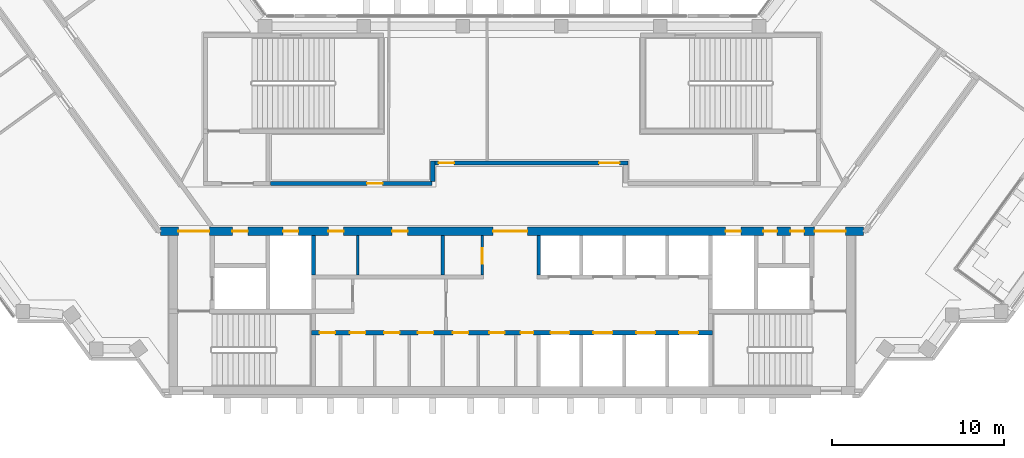
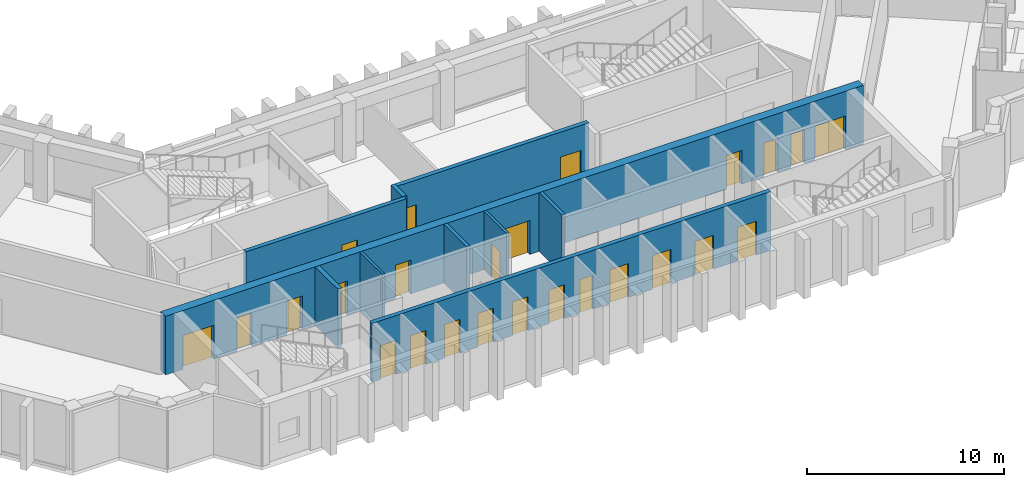
# One storey, part 5 of 10: 25 doors, 10 walls, 25 openings.
"""IFC4 building model written with IfcOpenShell, lengths in metres."""

import ifcopenshell
import ifcopenshell.guid

model = None  # the IFC model being written
_history = None  # IfcOwnerHistory: only IFC2X3 demands one
_inside = {}  # id of a spatial element -> (the spatial element, [elements in it])
_under = {}  # id of a project, library or spatial element -> (it, [spatial elements below it])
_declared = {}  # id of a project -> (the project, [libraries it declares])
_typed = {}  # id of a type object -> (the type object, [elements of that type])
_made_of = {}  # id of a material, layer set ... -> (it, [elements and type objects made of it])


def new_model(schema):
    """Start an empty IFC model of exactly this schema.

    Asked for "IFC4X3", IfcOpenShell would pick the latest addendum, in which some entities
    have other attributes; the version numbers below select the first issue.
    IFC2X3 requires an IfcOwnerHistory on every rooted entity: one is made here for all.
    """
    global model, _history
    if schema == "IFC4X3":
        model = ifcopenshell.file(schema_version=(4, 3, 0, 0))
    else:
        model = ifcopenshell.file(schema=schema)
    _inside.clear()
    _under.clear()
    _declared.clear()
    _typed.clear()
    _made_of.clear()
    _history = None
    if model.schema == "IFC2X3":
        org = make("IfcOrganization", Name="unknown")
        user = make(
            "IfcPersonAndOrganization",
            ThePerson=make("IfcPerson", FamilyName="unknown"),
            TheOrganization=org,
        )
        app = make(
            "IfcApplication",
            ApplicationDeveloper=org,
            Version="unknown",
            ApplicationFullName="unknown",
            ApplicationIdentifier="unknown",
        )
        _history = make(
            "IfcOwnerHistory",
            OwningUser=user,
            OwningApplication=app,
            ChangeAction="ADDED",
            CreationDate=0,
        )
    return model


def make(cls, **values):
    """One entity of the class cls with the attributes given. An attribute that is None is left unset."""
    return model.create_entity(
        cls, **{name: value for name, value in values.items() if value is not None}
    )


def rooted(cls, **values):
    """An entity with a GlobalId (a new one), such as an element, a storey or a relation."""
    return make(cls, GlobalId=ifcopenshell.guid.new(), OwnerHistory=_history, **values)


def si_unit(unit_type, name, prefix=None):
    """IfcSIUnit, for example si_unit("LENGTHUNIT", "METRE", prefix="MILLI")."""
    return make("IfcSIUnit", UnitType=unit_type, Prefix=prefix, Name=name)


def assignment(units):
    """IfcUnitAssignment: the units of a project."""
    return None if units is None else make("IfcUnitAssignment", Units=units)


def point(xyz):
    """IfcCartesianPoint."""
    return None if xyz is None else make("IfcCartesianPoint", Coordinates=xyz)


def direction(xyz):
    """IfcDirection."""
    return None if xyz is None else make("IfcDirection", DirectionRatios=xyz)


def frame(location, z_axis=None, x_axis=None):
    """IfcAxis2Placement3D, a coordinate frame: its origin and axes. An axis left out is left unset."""
    return make(
        "IfcAxis2Placement3D",
        Location=point(location),
        Axis=direction(z_axis),
        RefDirection=direction(x_axis),
    )


def frame_2d(location, x_axis=None):
    """IfcAxis2Placement2D, a coordinate frame in the plane: its origin and x axis."""
    return make(
        "IfcAxis2Placement2D", Location=point(location), RefDirection=direction(x_axis)
    )


def origin():
    """The frame at (0, 0, 0) with its axes left unset."""
    return frame((0.0, 0.0, 0.0))


def place(relative_to, where):
    """IfcLocalPlacement: puts the frame where relative to a parent placement (None: the world)."""
    return make(
        "IfcLocalPlacement", PlacementRelTo=relative_to, RelativePlacement=where
    )


def context(
    kind, dimensions, precision=None, world=None, true_north=None, identifier=None
):
    """IfcGeometricRepresentationContext, for example the 3D "Model" context."""
    return make(
        "IfcGeometricRepresentationContext",
        ContextIdentifier=identifier,
        ContextType=kind,
        CoordinateSpaceDimension=dimensions,
        Precision=precision,
        WorldCoordinateSystem=world,
        TrueNorth=true_north,
    )


def subcontext(parent, identifier, kind, view, scale=None):
    """IfcGeometricRepresentationSubContext, for example "Body" below "Model"."""
    return make(
        "IfcGeometricRepresentationSubContext",
        ContextIdentifier=identifier,
        ContextType=kind,
        ParentContext=parent,
        TargetScale=scale,
        TargetView=view,
    )


def project(units=None, contexts=None):
    """IfcProject with its units and contexts."""
    return rooted(
        "IfcProject",
        Name="project",
        RepresentationContexts=contexts,
        UnitsInContext=assignment(units),
    )


def spatial(cls, under=None, at=None, **own):
    """A site, building, storey or space (cls), placed at a placement, below another one or the project."""
    s = rooted(cls, ObjectPlacement=at, **own)
    if under is not None:
        _under.setdefault(under.id(), (under, []))[1].append(s)
    return s


def profile(cls, at=None, kind="AREA", **sizes):
    """A parametric profile (cls). Its sizes go by their IFC names, for example OverallWidth=200.0."""
    return make(cls, ProfileType=kind, Position=at, **sizes)


def rectangle(**sizes):
    """IfcRectangleProfileDef."""
    return profile("IfcRectangleProfileDef", **sizes)


def extrude(swept, where, along, depth):
    """IfcExtrudedAreaSolid: the profile swept, set in the frame where, extruded along a direction by depth."""
    return make(
        "IfcExtrudedAreaSolid",
        SweptArea=swept,
        Position=where,
        ExtrudedDirection=direction(along),
        Depth=depth,
    )


def shape(context_of_items, identifier, shape_type, items):
    """IfcShapeRepresentation: the items that make up one representation, for example the "Body"."""
    return make(
        "IfcShapeRepresentation",
        ContextOfItems=context_of_items,
        RepresentationIdentifier=identifier,
        RepresentationType=shape_type,
        Items=items,
    )


def material(Name=None, Category=None):
    """IfcMaterial."""
    return make("IfcMaterial", Name=Name, Category=Category)


def layer(
    of_material, thickness, ventilated=None, Name=None, Category=None, Priority=None
):
    """IfcMaterialLayer: one layer of a wall or slab, of a material (None: an air gap)."""
    return make(
        "IfcMaterialLayer",
        Material=of_material,
        LayerThickness=thickness,
        IsVentilated=ventilated,
        Name=Name,
        Category=Category,
        Priority=Priority,
    )


def layer_set(layers, Name=None):
    """IfcMaterialLayerSet."""
    return make("IfcMaterialLayerSet", MaterialLayers=layers, LayerSetName=Name)


def made_of(thing, what):
    """Note that an element or type object is made of a material, layer set ...; save() writes the relation."""
    if what is not None:
        _made_of.setdefault(what.id(), (what, []))[1].append(thing)
    return thing


def type_object(cls, material=None, **own):
    """A type object (cls), such as IfcWallType, which elements share."""
    return made_of(rooted(cls, **own), material)


def element(
    cls,
    number,
    at=None,
    inside=None,
    cuts=None,
    type_object=None,
    material=None,
    context=None,
    identifier="Body",
    shape_type=None,
    held_by="IfcProductDefinitionShape",
    body=None,
    shapes=None,
    **own,
):
    """One element of the class cls, such as IfcWall. Its Tag is "e" and its number.

    at: its placement. inside: the storey or other place that contains it. cuts: it is an
    opening in that element (IfcRelVoidsElement). A single representation is given by context,
    identifier, shape_type and body (its items); several are given by shapes. held_by: the class
    of the entity that holds the representations. save() writes the other relations.
    """
    e = rooted(cls, Tag="e%d" % number, ObjectPlacement=at, **own)
    if body is not None:
        shapes = [shape(context, identifier, shape_type, body)]
    if shapes is not None:
        e.Representation = make(held_by, Representations=shapes)
    if inside is not None:
        _inside.setdefault(inside.id(), (inside, []))[1].append(e)
    if cuts is not None:
        rooted(
            "IfcRelVoidsElement", RelatingBuildingElement=cuts, RelatedOpeningElement=e
        )
    if type_object is not None:
        _typed.setdefault(type_object.id(), (type_object, []))[1].append(e)
    return made_of(e, material)


def fill(opening, filler):
    """IfcRelFillsElement: the door or window that sits in an opening."""
    return rooted(
        "IfcRelFillsElement",
        RelatingOpeningElement=opening,
        RelatedBuildingElement=filler,
    )


def aggregate(whole, parts):
    """IfcRelAggregates: a whole, such as a stair, and the parts it consists of."""
    return rooted("IfcRelAggregates", RelatingObject=whole, RelatedObjects=parts)


def save(model, path):
    """Write the relations noted so far, then the file.

    IfcRelAggregates (storeys below a building ...), IfcRelContainedInSpatialStructure (elements
    in a storey), IfcRelDefinesByType, IfcRelAssociatesMaterial and IfcRelDeclares: one each for
    every whole, place, type object, material and project.
    """
    for whole, parts in _under.values():
        aggregate(whole, parts)
    for where, things in _inside.values():
        rooted(
            "IfcRelContainedInSpatialStructure",
            RelatedElements=things,
            RelatingStructure=where,
        )
    for kind, things in _typed.values():
        rooted("IfcRelDefinesByType", RelatedObjects=things, RelatingType=kind)
    for what, things in _made_of.values():
        rooted("IfcRelAssociatesMaterial", RelatedObjects=things, RelatingMaterial=what)
    for by, libraries in _declared.values():
        rooted("IfcRelDeclares", RelatingContext=by, RelatedDefinitions=libraries)
    model.write(path)


model = new_model("IFC4")

# Units and contexts
model_context = context("Model", 3, precision=1e-05, world=origin(), true_north=direction((0.0, 1.0)))
body_context = subcontext(model_context, "Body", "Model", "MODEL_VIEW")
ifc_project = project(units=[si_unit("LENGTHUNIT", "METRE"), si_unit("AREAUNIT", "SQUARE_METRE"), si_unit("VOLUMEUNIT", "CUBIC_METRE"), si_unit("PLANEANGLEUNIT", "RADIAN"), si_unit("MASSUNIT", "GRAM", prefix="KILO")], contexts=[model_context])

# Site, building, storey
site_placement = place(None, origin())
site = spatial("IfcSite", under=ifc_project, at=site_placement, CompositionType="ELEMENT")
building_placement = place(site_placement, origin())
building = spatial("IfcBuilding", under=site, at=building_placement, Name="Quipu Civic Tower", CompositionType="ELEMENT")
storey_placement = place(building_placement, frame((0.0, 0.0, 202.0)))
storey = spatial("IfcBuildingStorey", under=building, at=storey_placement, Name="L47", CompositionType="ELEMENT", Elevation=202.0)

# Wall, openings, doors
ifc_material_1 = material(Name="Concrete C70/85", Category="concrete")
ifc_layer_1 = layer(ifc_material_1, 0.25)
ifc_layer_set_1 = layer_set([ifc_layer_1], Name="Concrete C70/85")
wall_type_1 = type_object("IfcWallType", Name="Core wall 250", PredefinedType="SHEAR", material=ifc_layer_set_1)
wall_1_placement = place(storey_placement, frame((11.699951171875, -7.375, 0.0), z_axis=(0.0, 0.0, 1.0), x_axis=(-1.0, 0.0, 0.0)))
wall_1 = element("IfcWall", 1, at=wall_1_placement, inside=storey, type_object=wall_type_1, Name="Core wall", PredefinedType="SHEAR", context=body_context, shape_type="SweptSolid", body=[
    extrude(rectangle(XDim=23.39990234375, YDim=0.25, at=frame_2d((11.699951171875, 0.0))), origin(), (0.0, 0.0, 1.0), 3.64990234375),
])
opening_1_placement = place(wall_1_placement, frame((22.011962890625, 0.0, 0.0)))
opening_1 = element("IfcOpeningElement", 2, at=opening_1_placement, cuts=wall_1, Name="Opening CD-01", PredefinedType="OPENING", context=body_context, shape_type="SweptSolid", body=[
    extrude(rectangle(XDim=0.89990234375, YDim=2.10009765625, at=frame_2d((0.449951171875, 1.050048828125))), frame((0.0, 0.135009765625, 0.0), z_axis=(0.0, -1.0, 0.0), x_axis=(1.0, 0.0, 0.0)), (0.0, 0.0, 1.0), 0.27001953125),
])
opening_2_placement = place(wall_1_placement, frame((20.25, 0.0, 0.0)))
opening_2 = element("IfcOpeningElement", 3, at=opening_2_placement, cuts=wall_1, Name="Opening CD-02", PredefinedType="OPENING", context=body_context, shape_type="SweptSolid", body=[
    extrude(rectangle(XDim=0.89990234375, YDim=2.10009765625, at=frame_2d((0.449951171875, 1.050048828125))), frame((0.0, 0.135009765625, 0.0), z_axis=(0.0, -1.0, 0.0), x_axis=(1.0, 0.0, 0.0)), (0.0, 0.0, 1.0), 0.27001953125),
])
opening_3_placement = place(wall_1_placement, frame((18.25, 0.0, 0.0)))
opening_3 = element("IfcOpeningElement", 4, at=opening_3_placement, cuts=wall_1, Name="Opening CD-03", PredefinedType="OPENING", context=body_context, shape_type="SweptSolid", body=[
    extrude(rectangle(XDim=0.89990234375, YDim=2.10009765625, at=frame_2d((0.449951171875, 1.050048828125))), frame((0.0, 0.135009765625, 0.0), z_axis=(0.0, -1.0, 0.0), x_axis=(1.0, 0.0, 0.0)), (0.0, 0.0, 1.0), 0.27001953125),
])
opening_4_placement = place(wall_1_placement, frame((16.287109375, 0.0, 0.0)))
opening_4 = element("IfcOpeningElement", 5, at=opening_4_placement, cuts=wall_1, Name="Opening CD-04", PredefinedType="OPENING", context=body_context, shape_type="SweptSolid", body=[
    extrude(rectangle(XDim=0.89990234375, YDim=2.10009765625, at=frame_2d((0.449951171875, 1.050048828125))), frame((0.0, 0.135009765625, 0.0), z_axis=(0.0, -1.0, 0.0), x_axis=(1.0, 0.0, 0.0)), (0.0, 0.0, 1.0), 0.27001953125),
])
opening_5_placement = place(wall_1_placement, frame((14.25, 0.0, 0.0)))
opening_5 = element("IfcOpeningElement", 6, at=opening_5_placement, cuts=wall_1, Name="Opening CD-05", PredefinedType="OPENING", context=body_context, shape_type="SweptSolid", body=[
    extrude(rectangle(XDim=0.89990234375, YDim=2.10009765625, at=frame_2d((0.449951171875, 1.050048828125))), frame((0.0, 0.135009765625, 0.0), z_axis=(0.0, -1.0, 0.0), x_axis=(1.0, 0.0, 0.0)), (0.0, 0.0, 1.0), 0.27001953125),
])
opening_6_placement = place(wall_1_placement, frame((12.125, 0.0, 0.0)))
opening_6 = element("IfcOpeningElement", 7, at=opening_6_placement, cuts=wall_1, Name="Opening CD-06", PredefinedType="OPENING", context=body_context, shape_type="SweptSolid", body=[
    extrude(rectangle(XDim=0.89990234375, YDim=2.10009765625, at=frame_2d((0.449951171875, 1.050048828125))), frame((0.0, 0.135009765625, 0.0), z_axis=(0.0, -1.0, 0.0), x_axis=(1.0, 0.0, 0.0)), (0.0, 0.0, 1.0), 0.27001953125),
])
opening_7_placement = place(wall_1_placement, frame((10.449951171875, 0.0, 0.0)))
opening_7 = element("IfcOpeningElement", 8, at=opening_7_placement, cuts=wall_1, Name="Opening CD-07", PredefinedType="OPENING", context=body_context, shape_type="SweptSolid", body=[
    extrude(rectangle(XDim=0.75, YDim=2.10009765625, at=frame_2d((0.375, 1.050048828125))), frame((0.0, 0.135009765625, 0.0), z_axis=(0.0, -1.0, 0.0), x_axis=(1.0, 0.0, 0.0)), (0.0, 0.0, 1.0), 0.27001953125),
])
opening_8_placement = place(wall_1_placement, frame((8.35009765625, 0.0, 0.0)))
opening_8 = element("IfcOpeningElement", 9, at=opening_8_placement, cuts=wall_1, Name="Opening LD-ML1", PredefinedType="OPENING", context=body_context, shape_type="SweptSolid", body=[
    extrude(rectangle(XDim=1.10009765625, YDim=2.10009765625, at=frame_2d((0.550048828125, 1.050048828125))), frame((0.0, 0.135009765625, 0.0), z_axis=(0.0, -1.0, 0.0), x_axis=(1.0, 0.0, 0.0)), (0.0, 0.0, 1.0), 0.27001953125),
])
opening_9_placement = place(wall_1_placement, frame((5.85009765625, 0.0, 0.0)))
opening_9 = element("IfcOpeningElement", 10, at=opening_9_placement, cuts=wall_1, Name="Opening LD-ML2", PredefinedType="OPENING", context=body_context, shape_type="SweptSolid", body=[
    extrude(rectangle(XDim=1.10009765625, YDim=2.10009765625, at=frame_2d((0.550048828125, 1.050048828125))), frame((0.0, 0.135009765625, 0.0), z_axis=(0.0, -1.0, 0.0), x_axis=(1.0, 0.0, 0.0)), (0.0, 0.0, 1.0), 0.27001953125),
])
opening_10_placement = place(wall_1_placement, frame((3.35009765625, 0.0, 0.0)))
opening_10 = element("IfcOpeningElement", 11, at=opening_10_placement, cuts=wall_1, Name="Opening LD-ML3", PredefinedType="OPENING", context=body_context, shape_type="SweptSolid", body=[
    extrude(rectangle(XDim=1.10009765625, YDim=2.10009765625, at=frame_2d((0.550048828125, 1.050048828125))), frame((0.0, 0.135009765625, 0.0), z_axis=(0.0, -1.0, 0.0), x_axis=(1.0, 0.0, 0.0)), (0.0, 0.0, 1.0), 0.27001953125),
])
opening_11_placement = place(wall_1_placement, frame((0.85009765625, 0.0, 0.0)))
opening_11 = element("IfcOpeningElement", 12, at=opening_11_placement, cuts=wall_1, Name="Opening LD-ML4", PredefinedType="OPENING", context=body_context, shape_type="SweptSolid", body=[
    extrude(rectangle(XDim=1.10009765625, YDim=2.10009765625, at=frame_2d((0.550048828125, 1.050048828125))), frame((0.0, 0.135009765625, 0.0), z_axis=(0.0, -1.0, 0.0), x_axis=(1.0, 0.0, 0.0)), (0.0, 0.0, 1.0), 0.27001953125),
])
ifc_material_2 = material(Name="Fire rated steel door", Category="steel")
door_type_1 = type_object("IfcDoorType", Name="Fire door FD60 750 x 2100", OperationType="NOTDEFINED", PredefinedType="DOOR", material=ifc_material_2)
door_1_placement = place(opening_7_placement, origin())
door_1 = element("IfcDoor", 13, at=door_1_placement, inside=storey, type_object=door_type_1, Name="Door", OperationType="SINGLE_SWING_LEFT", OverallHeight=2.10009765625, OverallWidth=0.75, PredefinedType="DOOR", context=body_context, shape_type="SweptSolid", body=[
    extrude(rectangle(XDim=0.75, YDim=2.10009765625, at=frame_2d((0.375, 1.050048828125))), frame((0.0, 0.02490234375, 0.0), z_axis=(0.0, -1.0, 0.0), x_axis=(1.0, 0.0, 0.0)), (0.0, 0.0, 1.0), 0.050048828125),
])
fill(opening_7, door_1)
ifc_material_3 = material(Name="Fire rated steel door", Category="steel")
door_type_2 = type_object("IfcDoorType", Name="Fire door FD60 900 x 2100", OperationType="NOTDEFINED", PredefinedType="DOOR", material=ifc_material_3)
door_2_placement = place(opening_1_placement, origin())
door_2 = element("IfcDoor", 14, at=door_2_placement, inside=storey, type_object=door_type_2, Name="Door", OperationType="SINGLE_SWING_RIGHT", OverallHeight=2.10009765625, OverallWidth=0.89990234375, PredefinedType="DOOR", context=body_context, shape_type="SweptSolid", body=[
    extrude(rectangle(XDim=0.89990234375, YDim=2.10009765625, at=frame_2d((0.449951171875, 1.050048828125))), frame((0.0, 0.02490234375, 0.0), z_axis=(0.0, -1.0, 0.0), x_axis=(1.0, 0.0, 0.0)), (0.0, 0.0, 1.0), 0.050048828125),
])
fill(opening_1, door_2)
door_3_placement = place(opening_2_placement, origin())
door_3 = element("IfcDoor", 15, at=door_3_placement, inside=storey, type_object=door_type_2, Name="Door", OperationType="SINGLE_SWING_RIGHT", OverallHeight=2.10009765625, OverallWidth=0.89990234375, PredefinedType="DOOR", context=body_context, shape_type="SweptSolid", body=[
    extrude(rectangle(XDim=0.89990234375, YDim=2.10009765625, at=frame_2d((0.449951171875, 1.050048828125))), frame((0.0, 0.02490234375, 0.0), z_axis=(0.0, -1.0, 0.0), x_axis=(1.0, 0.0, 0.0)), (0.0, 0.0, 1.0), 0.050048828125),
])
fill(opening_2, door_3)
door_4_placement = place(opening_3_placement, origin())
door_4 = element("IfcDoor", 16, at=door_4_placement, inside=storey, type_object=door_type_2, Name="Door", OperationType="SINGLE_SWING_RIGHT", OverallHeight=2.10009765625, OverallWidth=0.89990234375, PredefinedType="DOOR", context=body_context, shape_type="SweptSolid", body=[
    extrude(rectangle(XDim=0.89990234375, YDim=2.10009765625, at=frame_2d((0.449951171875, 1.050048828125))), frame((0.0, 0.02490234375, 0.0), z_axis=(0.0, -1.0, 0.0), x_axis=(1.0, 0.0, 0.0)), (0.0, 0.0, 1.0), 0.050048828125),
])
fill(opening_3, door_4)
door_5_placement = place(opening_4_placement, origin())
door_5 = element("IfcDoor", 17, at=door_5_placement, inside=storey, type_object=door_type_2, Name="Door", OperationType="SINGLE_SWING_RIGHT", OverallHeight=2.10009765625, OverallWidth=0.89990234375, PredefinedType="DOOR", context=body_context, shape_type="SweptSolid", body=[
    extrude(rectangle(XDim=0.89990234375, YDim=2.10009765625, at=frame_2d((0.449951171875, 1.050048828125))), frame((0.0, 0.02490234375, 0.0), z_axis=(0.0, -1.0, 0.0), x_axis=(1.0, 0.0, 0.0)), (0.0, 0.0, 1.0), 0.050048828125),
])
fill(opening_4, door_5)
door_6_placement = place(opening_5_placement, origin())
door_6 = element("IfcDoor", 18, at=door_6_placement, inside=storey, type_object=door_type_2, Name="WC door", OperationType="SINGLE_SWING_RIGHT", OverallHeight=2.10009765625, OverallWidth=0.89990234375, PredefinedType="DOOR", context=body_context, shape_type="SweptSolid", body=[
    extrude(rectangle(XDim=0.89990234375, YDim=2.10009765625, at=frame_2d((0.449951171875, 1.050048828125))), frame((0.0, 0.02490234375, 0.0), z_axis=(0.0, -1.0, 0.0), x_axis=(1.0, 0.0, 0.0)), (0.0, 0.0, 1.0), 0.050048828125),
])
fill(opening_5, door_6)
door_7_placement = place(opening_6_placement, origin())
door_7 = element("IfcDoor", 19, at=door_7_placement, inside=storey, type_object=door_type_2, Name="WC door", OperationType="SINGLE_SWING_RIGHT", OverallHeight=2.10009765625, OverallWidth=0.89990234375, PredefinedType="DOOR", context=body_context, shape_type="SweptSolid", body=[
    extrude(rectangle(XDim=0.89990234375, YDim=2.10009765625, at=frame_2d((0.449951171875, 1.050048828125))), frame((0.0, 0.02490234375, 0.0), z_axis=(0.0, -1.0, 0.0), x_axis=(1.0, 0.0, 0.0)), (0.0, 0.0, 1.0), 0.050048828125),
])
fill(opening_6, door_7)
ifc_material_4 = material(Name="Stainless steel", Category="steel")
door_type_3 = type_object("IfcDoorType", Name="Lift landing door 1100 x 2100", OperationType="DOUBLE_DOOR_SLIDING", PredefinedType="DOOR", material=ifc_material_4)
door_8_placement = place(opening_8_placement, origin())
door_8 = element("IfcDoor", 20, at=door_8_placement, inside=storey, type_object=door_type_3, Name="Landing door ML1", OperationType="DOUBLE_DOOR_SLIDING", OverallHeight=2.10009765625, OverallWidth=1.10009765625, PredefinedType="DOOR", context=body_context, shape_type="SweptSolid", body=[
    extrude(rectangle(XDim=1.10009765625, YDim=2.10009765625, at=frame_2d((0.550048828125, 1.050048828125))), frame((0.0, 0.02490234375, 0.0), z_axis=(0.0, -1.0, 0.0), x_axis=(1.0, 0.0, 0.0)), (0.0, 0.0, 1.0), 0.050048828125),
])
fill(opening_8, door_8)
door_9_placement = place(opening_9_placement, origin())
door_9 = element("IfcDoor", 21, at=door_9_placement, inside=storey, type_object=door_type_3, Name="Landing door ML2", OperationType="DOUBLE_DOOR_SLIDING", OverallHeight=2.10009765625, OverallWidth=1.10009765625, PredefinedType="DOOR", context=body_context, shape_type="SweptSolid", body=[
    extrude(rectangle(XDim=1.10009765625, YDim=2.10009765625, at=frame_2d((0.550048828125, 1.050048828125))), frame((0.0, 0.02490234375, 0.0), z_axis=(0.0, -1.0, 0.0), x_axis=(1.0, 0.0, 0.0)), (0.0, 0.0, 1.0), 0.050048828125),
])
fill(opening_9, door_9)
door_10_placement = place(opening_10_placement, origin())
door_10 = element("IfcDoor", 22, at=door_10_placement, inside=storey, type_object=door_type_3, Name="Landing door ML3", OperationType="DOUBLE_DOOR_SLIDING", OverallHeight=2.10009765625, OverallWidth=1.10009765625, PredefinedType="DOOR", context=body_context, shape_type="SweptSolid", body=[
    extrude(rectangle(XDim=1.10009765625, YDim=2.10009765625, at=frame_2d((0.550048828125, 1.050048828125))), frame((0.0, 0.02490234375, 0.0), z_axis=(0.0, -1.0, 0.0), x_axis=(1.0, 0.0, 0.0)), (0.0, 0.0, 1.0), 0.050048828125),
])
fill(opening_10, door_10)
door_11_placement = place(opening_11_placement, origin())
door_11 = element("IfcDoor", 23, at=door_11_placement, inside=storey, type_object=door_type_3, Name="Landing door ML4", OperationType="DOUBLE_DOOR_SLIDING", OverallHeight=2.10009765625, OverallWidth=1.10009765625, PredefinedType="DOOR", context=body_context, shape_type="SweptSolid", body=[
    extrude(rectangle(XDim=1.10009765625, YDim=2.10009765625, at=frame_2d((0.550048828125, 1.050048828125))), frame((0.0, 0.02490234375, 0.0), z_axis=(0.0, -1.0, 0.0), x_axis=(1.0, 0.0, 0.0)), (0.0, 0.0, 1.0), 0.050048828125),
])
fill(opening_11, door_11)

# Wall
wall_2_placement = place(storey_placement, frame((-11.574951171875, -4.0, 0.0), z_axis=(0.0, 0.0, 1.0), x_axis=(0.0, 1.0, 0.0)))
element("IfcWall", 24, at=wall_2_placement, inside=storey, type_object=wall_type_1, Name="Core wall", PredefinedType="SHEAR", context=body_context, shape_type="SweptSolid", body=[
    extrude(rectangle(XDim=2.300048828125, YDim=0.25, at=frame_2d((1.14990234375, 0.0))), origin(), (0.0, 0.0, 1.0), 3.64990234375),
])

# Wall, openings, doors
ifc_material_5 = material(Name="Concrete C70/85", Category="concrete")
ifc_layer_2 = layer(ifc_material_5, 0.5)
ifc_layer_set_2 = layer_set([ifc_layer_2], Name="Concrete C70/85")
wall_type_2 = type_object("IfcWallType", Name="Core wall 500", PredefinedType="SHEAR", material=ifc_layer_set_2)
wall_3_placement = place(storey_placement, frame((20.489990234375, -1.449951171875, 0.0), z_axis=(0.0, 0.0, 1.0), x_axis=(-1.0, 0.0, 0.0)))
wall_3 = element("IfcWall", 25, at=wall_3_placement, inside=storey, type_object=wall_type_2, Name="Core wall", PredefinedType="SHEAR", context=body_context, shape_type="SweptSolid", body=[
    extrude(rectangle(XDim=40.97998046875, YDim=0.5, at=frame_2d((20.489990234375, 0.0))), origin(), (0.0, 0.0, 1.0), 3.64990234375),
])
opening_12_placement = place(wall_3_placement, frame((38.139892578125, 0.0, 0.0)))
opening_12 = element("IfcOpeningElement", 26, at=opening_12_placement, cuts=wall_3, Name="Opening CD-13", PredefinedType="OPENING", context=body_context, shape_type="SweptSolid", body=[
    extrude(rectangle(XDim=1.800048828125, YDim=2.10009765625, at=frame_2d((0.89990234375, 1.050048828125))), frame((0.0, 0.260009765625, 0.0), z_axis=(0.0, -1.0, 0.0), x_axis=(1.0, 0.0, 0.0)), (0.0, 0.0, 1.0), 0.52001953125),
])
opening_13_placement = place(wall_3_placement, frame((35.889892578125, 0.0, 0.0)))
opening_13 = element("IfcOpeningElement", 27, at=opening_13_placement, cuts=wall_3, Name="Opening CD-14", PredefinedType="OPENING", context=body_context, shape_type="SweptSolid", body=[
    extrude(rectangle(XDim=0.89990234375, YDim=2.10009765625, at=frame_2d((0.449951171875, 1.050048828125))), frame((0.0, 0.260009765625, 0.0), z_axis=(0.0, -1.0, 0.0), x_axis=(1.0, 0.0, 0.0)), (0.0, 0.0, 1.0), 0.52001953125),
])
opening_14_placement = place(wall_3_placement, frame((32.93994140625, 0.0, 0.0)))
opening_14 = element("IfcOpeningElement", 28, at=opening_14_placement, cuts=wall_3, Name="Opening CD-15", PredefinedType="OPENING", context=body_context, shape_type="SweptSolid", body=[
    extrude(rectangle(XDim=0.89990234375, YDim=2.10009765625, at=frame_2d((0.449951171875, 1.050048828125))), frame((0.0, 0.260009765625, 0.0), z_axis=(0.0, -1.0, 0.0), x_axis=(1.0, 0.0, 0.0)), (0.0, 0.0, 1.0), 0.52001953125),
])
opening_15_placement = place(wall_3_placement, frame((30.302490234375, 0.0, 0.0)))
opening_15 = element("IfcOpeningElement", 29, at=opening_15_placement, cuts=wall_3, Name="Opening CD-16", PredefinedType="OPENING", context=body_context, shape_type="SweptSolid", body=[
    extrude(rectangle(XDim=0.89990234375, YDim=2.10009765625, at=frame_2d((0.449951171875, 1.050048828125))), frame((0.0, 0.260009765625, 0.0), z_axis=(0.0, -1.0, 0.0), x_axis=(1.0, 0.0, 0.0)), (0.0, 0.0, 1.0), 0.52001953125),
])
opening_16_placement = place(wall_3_placement, frame((26.577392578125, 0.0, 0.0)))
opening_16 = element("IfcOpeningElement", 30, at=opening_16_placement, cuts=wall_3, Name="Opening CD-17", PredefinedType="OPENING", context=body_context, shape_type="SweptSolid", body=[
    extrude(rectangle(XDim=0.89990234375, YDim=2.10009765625, at=frame_2d((0.449951171875, 1.050048828125))), frame((0.0, 0.260009765625, 0.0), z_axis=(0.0, -1.0, 0.0), x_axis=(1.0, 0.0, 0.0)), (0.0, 0.0, 1.0), 0.52001953125),
])
opening_17_placement = place(wall_3_placement, frame((19.590087890625, 0.0, 0.0)))
opening_17 = element("IfcOpeningElement", 31, at=opening_17_placement, cuts=wall_3, Name="Opening CD-18", PredefinedType="OPENING", context=body_context, shape_type="SweptSolid", body=[
    extrude(rectangle(XDim=2.0, YDim=2.10009765625, at=frame_2d((1.0, 1.050048828125))), frame((0.0, 0.260009765625, 0.0), z_axis=(0.0, -1.0, 0.0), x_axis=(1.0, 0.0, 0.0)), (0.0, 0.0, 1.0), 0.52001953125),
])
opening_18_placement = place(wall_3_placement, frame((7.139892578125, 0.0, 0.0)))
opening_18 = element("IfcOpeningElement", 32, at=opening_18_placement, cuts=wall_3, Name="Opening CD-19", PredefinedType="OPENING", context=body_context, shape_type="SweptSolid", body=[
    extrude(rectangle(XDim=0.89990234375, YDim=2.10009765625, at=frame_2d((0.449951171875, 1.050048828125))), frame((0.0, 0.260009765625, 0.0), z_axis=(0.0, -1.0, 0.0), x_axis=(1.0, 0.0, 0.0)), (0.0, 0.0, 1.0), 0.52001953125),
])
opening_19_placement = place(wall_3_placement, frame((5.027587890625, 0.0, 0.0)))
opening_19 = element("IfcOpeningElement", 33, at=opening_19_placement, cuts=wall_3, Name="Opening CD-20", PredefinedType="OPENING", context=body_context, shape_type="SweptSolid", body=[
    extrude(rectangle(XDim=0.800048828125, YDim=2.10009765625, at=frame_2d((0.39990234375, 1.050048828125))), frame((0.0, 0.260009765625, 0.0), z_axis=(0.0, -1.0, 0.0), x_axis=(1.0, 0.0, 0.0)), (0.0, 0.0, 1.0), 0.52001953125),
])
opening_20_placement = place(wall_3_placement, frame((3.452392578125, 0.0, 0.0)))
opening_20 = element("IfcOpeningElement", 34, at=opening_20_placement, cuts=wall_3, Name="Opening CD-21", PredefinedType="OPENING", context=body_context, shape_type="SweptSolid", body=[
    extrude(rectangle(XDim=0.800048828125, YDim=2.10009765625, at=frame_2d((0.39990234375, 1.050048828125))), frame((0.0, 0.260009765625, 0.0), z_axis=(0.0, -1.0, 0.0), x_axis=(1.0, 0.0, 0.0)), (0.0, 0.0, 1.0), 0.52001953125),
])
opening_21_placement = place(wall_3_placement, frame((1.0400390625, 0.0, 0.0)))
opening_21 = element("IfcOpeningElement", 35, at=opening_21_placement, cuts=wall_3, Name="Opening CD-22", PredefinedType="OPENING", context=body_context, shape_type="SweptSolid", body=[
    extrude(rectangle(XDim=1.800048828125, YDim=2.10009765625, at=frame_2d((0.89990234375, 1.050048828125))), frame((0.0, 0.260009765625, 0.0), z_axis=(0.0, -1.0, 0.0), x_axis=(1.0, 0.0, 0.0)), (0.0, 0.0, 1.0), 0.52001953125),
])
ifc_material_6 = material(Name="Fire rated steel door", Category="steel")
door_type_4 = type_object("IfcDoorType", Name="Fire door FD60 800 x 2100", OperationType="NOTDEFINED", PredefinedType="DOOR", material=ifc_material_6)
door_12_placement = place(opening_19_placement, origin())
door_12 = element("IfcDoor", 36, at=door_12_placement, inside=storey, type_object=door_type_4, Name="Door", OperationType="SINGLE_SWING_LEFT", OverallHeight=2.10009765625, OverallWidth=0.800048828125, PredefinedType="DOOR", context=body_context, shape_type="SweptSolid", body=[
    extrude(rectangle(XDim=0.800048828125, YDim=2.10009765625, at=frame_2d((0.39990234375, 1.050048828125))), frame((0.0, 0.02490234375, 0.0), z_axis=(0.0, -1.0, 0.0), x_axis=(1.0, 0.0, 0.0)), (0.0, 0.0, 1.0), 0.050048828125),
])
fill(opening_19, door_12)
door_13_placement = place(opening_20_placement, origin())
door_13 = element("IfcDoor", 37, at=door_13_placement, inside=storey, type_object=door_type_4, Name="Door", OperationType="SINGLE_SWING_LEFT", OverallHeight=2.10009765625, OverallWidth=0.800048828125, PredefinedType="DOOR", context=body_context, shape_type="SweptSolid", body=[
    extrude(rectangle(XDim=0.800048828125, YDim=2.10009765625, at=frame_2d((0.39990234375, 1.050048828125))), frame((0.0, 0.02490234375, 0.0), z_axis=(0.0, -1.0, 0.0), x_axis=(1.0, 0.0, 0.0)), (0.0, 0.0, 1.0), 0.050048828125),
])
fill(opening_20, door_13)
door_14_placement = place(opening_13_placement, origin())
door_14 = element("IfcDoor", 38, at=door_14_placement, inside=storey, type_object=door_type_2, Name="Door", OperationType="SINGLE_SWING_RIGHT", OverallHeight=2.10009765625, OverallWidth=0.89990234375, PredefinedType="DOOR", context=body_context, shape_type="SweptSolid", body=[
    extrude(rectangle(XDim=0.89990234375, YDim=2.10009765625, at=frame_2d((0.449951171875, 1.050048828125))), frame((0.0, 0.02490234375, 0.0), z_axis=(0.0, -1.0, 0.0), x_axis=(1.0, 0.0, 0.0)), (0.0, 0.0, 1.0), 0.050048828125),
])
fill(opening_13, door_14)
door_15_placement = place(opening_14_placement, origin())
door_15 = element("IfcDoor", 39, at=door_15_placement, inside=storey, type_object=door_type_2, Name="Riser door", OperationType="SINGLE_SWING_RIGHT", OverallHeight=2.10009765625, OverallWidth=0.89990234375, PredefinedType="DOOR", context=body_context, shape_type="SweptSolid", body=[
    extrude(rectangle(XDim=0.89990234375, YDim=2.10009765625, at=frame_2d((0.449951171875, 1.050048828125))), frame((0.0, 0.02490234375, 0.0), z_axis=(0.0, -1.0, 0.0), x_axis=(1.0, 0.0, 0.0)), (0.0, 0.0, 1.0), 0.050048828125),
])
fill(opening_14, door_15)
door_16_placement = place(opening_15_placement, origin())
door_16 = element("IfcDoor", 40, at=door_16_placement, inside=storey, type_object=door_type_2, Name="Door", OperationType="SINGLE_SWING_RIGHT", OverallHeight=2.10009765625, OverallWidth=0.89990234375, PredefinedType="DOOR", context=body_context, shape_type="SweptSolid", body=[
    extrude(rectangle(XDim=0.89990234375, YDim=2.10009765625, at=frame_2d((0.449951171875, 1.050048828125))), frame((0.0, 0.02490234375, 0.0), z_axis=(0.0, -1.0, 0.0), x_axis=(1.0, 0.0, 0.0)), (0.0, 0.0, 1.0), 0.050048828125),
])
fill(opening_15, door_16)
door_17_placement = place(opening_16_placement, origin())
door_17 = element("IfcDoor", 41, at=door_17_placement, inside=storey, type_object=door_type_2, Name="Door", OperationType="SINGLE_SWING_RIGHT", OverallHeight=2.10009765625, OverallWidth=0.89990234375, PredefinedType="DOOR", context=body_context, shape_type="SweptSolid", body=[
    extrude(rectangle(XDim=0.89990234375, YDim=2.10009765625, at=frame_2d((0.449951171875, 1.050048828125))), frame((0.0, 0.02490234375, 0.0), z_axis=(0.0, -1.0, 0.0), x_axis=(1.0, 0.0, 0.0)), (0.0, 0.0, 1.0), 0.050048828125),
])
fill(opening_16, door_17)
door_18_placement = place(opening_18_placement, origin())
door_18 = element("IfcDoor", 42, at=door_18_placement, inside=storey, type_object=door_type_2, Name="Riser door", OperationType="SINGLE_SWING_LEFT", OverallHeight=2.10009765625, OverallWidth=0.89990234375, PredefinedType="DOOR", context=body_context, shape_type="SweptSolid", body=[
    extrude(rectangle(XDim=0.89990234375, YDim=2.10009765625, at=frame_2d((0.449951171875, 1.050048828125))), frame((0.0, 0.02490234375, 0.0), z_axis=(0.0, -1.0, 0.0), x_axis=(1.0, 0.0, 0.0)), (0.0, 0.0, 1.0), 0.050048828125),
])
fill(opening_18, door_18)
ifc_material_7 = material(Name="Fire rated steel door", Category="steel")
door_type_5 = type_object("IfcDoorType", Name="Fire door FD90 double 1800 x 2100", OperationType="NOTDEFINED", PredefinedType="DOOR", material=ifc_material_7)
door_19_placement = place(opening_12_placement, origin())
door_19 = element("IfcDoor", 43, at=door_19_placement, inside=storey, type_object=door_type_5, Name="Lobby door", OperationType="DOUBLE_DOOR_SINGLE_SWING", OverallHeight=2.10009765625, OverallWidth=1.800048828125, PredefinedType="DOOR", context=body_context, shape_type="SweptSolid", body=[
    extrude(rectangle(XDim=1.800048828125, YDim=2.10009765625, at=frame_2d((0.89990234375, 1.050048828125))), frame((0.0, 0.02490234375, 0.0), z_axis=(0.0, -1.0, 0.0), x_axis=(1.0, 0.0, 0.0)), (0.0, 0.0, 1.0), 0.050048828125),
])
fill(opening_12, door_19)
door_20_placement = place(opening_21_placement, origin())
door_20 = element("IfcDoor", 44, at=door_20_placement, inside=storey, type_object=door_type_5, Name="Lobby door", OperationType="DOUBLE_DOOR_SINGLE_SWING", OverallHeight=2.10009765625, OverallWidth=1.800048828125, PredefinedType="DOOR", context=body_context, shape_type="SweptSolid", body=[
    extrude(rectangle(XDim=1.800048828125, YDim=2.10009765625, at=frame_2d((0.89990234375, 1.050048828125))), frame((0.0, 0.02490234375, 0.0), z_axis=(0.0, -1.0, 0.0), x_axis=(1.0, 0.0, 0.0)), (0.0, 0.0, 1.0), 0.050048828125),
])
fill(opening_21, door_20)
ifc_material_8 = material(Name="Fire rated steel door", Category="steel")
door_type_6 = type_object("IfcDoorType", Name="Fire door FD90 double 2000 x 2100", OperationType="NOTDEFINED", PredefinedType="DOOR", material=ifc_material_8)
door_21_placement = place(opening_17_placement, origin())
door_21 = element("IfcDoor", 45, at=door_21_placement, inside=storey, type_object=door_type_6, Name="Lobby door", OperationType="DOUBLE_DOOR_SINGLE_SWING", OverallHeight=2.10009765625, OverallWidth=2.0, PredefinedType="DOOR", context=body_context, shape_type="SweptSolid", body=[
    extrude(rectangle(XDim=2.0, YDim=2.10009765625, at=frame_2d((1.0, 1.050048828125))), frame((0.0, 0.02490234375, 0.0), z_axis=(0.0, -1.0, 0.0), x_axis=(1.0, 0.0, 0.0)), (0.0, 0.0, 1.0), 0.050048828125),
])
fill(opening_17, door_21)

# Wall, opening, door
ifc_material_9 = material(Name="Concrete C50/60", Category="concrete")
ifc_layer_3 = layer(ifc_material_9, 0.25)
ifc_layer_set_3 = layer_set([ifc_layer_3], Name="Concrete C50/60")
wall_type_3 = type_object("IfcWallType", Name="Corridor wall 250 concrete", PredefinedType="SOLIDWALL", material=ifc_layer_set_3)
wall_4_placement = place(storey_placement, frame((-14.090087890625, 1.324951171875, 0.0), z_axis=(0.0, 0.0, 1.0), x_axis=(1.0, 0.0, 0.0)))
wall_4 = element("IfcWall", 46, at=wall_4_placement, inside=storey, type_object=wall_type_3, Name="Corridor wall C07", PredefinedType="SOLIDWALL", context=body_context, shape_type="SweptSolid", body=[
    extrude(rectangle(XDim=9.431396484375, YDim=0.25, at=frame_2d((4.7158203125, 0.0))), origin(), (0.0, 0.0, 1.0), 3.64990234375),
])
opening_22_placement = place(wall_4_placement, frame((5.64208984375, 0.0, 0.0)))
opening_22 = element("IfcOpeningElement", 47, at=opening_22_placement, cuts=wall_4, Name="Opening D004", PredefinedType="OPENING", context=body_context, shape_type="SweptSolid", body=[
    extrude(rectangle(XDim=0.89990234375, YDim=2.10009765625, at=frame_2d((0.449951171875, 1.050048828125))), frame((0.0, 0.135009765625, 0.0), z_axis=(0.0, -1.0, 0.0), x_axis=(1.0, 0.0, 0.0)), (0.0, 0.0, 1.0), 0.27001953125),
])
ifc_material_10 = material(Name="Fire rated timber door set with metal frame", Category="wood")
door_type_7 = type_object("IfcDoorType", Name="Single door 900 x 2100 FD60", OperationType="NOTDEFINED", PredefinedType="DOOR", material=ifc_material_10)
door_22_placement = place(opening_22_placement, origin())
door_22 = element("IfcDoor", 48, at=door_22_placement, inside=storey, type_object=door_type_7, Name="Door D004", OperationType="SINGLE_SWING_RIGHT", OverallHeight=2.10009765625, OverallWidth=0.89990234375, PredefinedType="DOOR", context=body_context, shape_type="SweptSolid", body=[
    extrude(rectangle(XDim=0.89990234375, YDim=2.10009765625, at=frame_2d((0.449951171875, 1.050048828125))), frame((0.0, 0.02490234375, 0.0), z_axis=(0.0, -1.0, 0.0), x_axis=(1.0, 0.0, 0.0)), (0.0, 0.0, 1.0), 0.050048828125),
])
fill(opening_22, door_22)

# Wall
wall_5_placement = place(storey_placement, frame((-4.625, 1.45361328125, 0.0), z_axis=(0.0, 0.0, 1.0), x_axis=(0.0, 1.0, 0.0)))
element("IfcWall", 49, at=wall_5_placement, inside=storey, type_object=wall_type_3, Name="Corridor wall C08", PredefinedType="SOLIDWALL", context=body_context, shape_type="SweptSolid", body=[
    extrude(rectangle(XDim=1.1962890625, YDim=0.25, at=frame_2d((0.59814453125, 0.0))), origin(), (0.0, 0.0, 1.0), 3.64990234375),
])

# Wall, openings, doors
wall_6_placement = place(storey_placement, frame((-4.5, 2.52490234375, 0.0), z_axis=(0.0, 0.0, 1.0), x_axis=(1.0, 0.0, 0.0)))
wall_6 = element("IfcWall", 50, at=wall_6_placement, inside=storey, type_object=wall_type_3, Name="Corridor wall C09", PredefinedType="SOLIDWALL", context=body_context, shape_type="SweptSolid", body=[
    extrude(rectangle(XDim=11.25, YDim=0.25, at=frame_2d((5.625, 0.0))), origin(), (0.0, 0.0, 1.0), 3.64990234375),
])
opening_23_placement = place(wall_6_placement, frame((0.22412109375, 0.0, 0.0)))
opening_23 = element("IfcOpeningElement", 51, at=opening_23_placement, cuts=wall_6, Name="Opening D005", PredefinedType="OPENING", context=body_context, shape_type="SweptSolid", body=[
    extrude(rectangle(XDim=0.89990234375, YDim=2.10009765625, at=frame_2d((0.449951171875, 1.050048828125))), frame((0.0, 0.135009765625, 0.0), z_axis=(0.0, -1.0, 0.0), x_axis=(1.0, 0.0, 0.0)), (0.0, 0.0, 1.0), 0.27001953125),
])
opening_24_placement = place(wall_6_placement, frame((9.575927734375, 0.0, 0.0)))
opening_24 = element("IfcOpeningElement", 52, at=opening_24_placement, cuts=wall_6, Name="Opening D006", PredefinedType="OPENING", context=body_context, shape_type="SweptSolid", body=[
    extrude(rectangle(XDim=1.199951171875, YDim=2.10009765625, at=frame_2d((0.60009765625, 1.050048828125))), frame((0.0, 0.135009765625, 0.0), z_axis=(0.0, -1.0, 0.0), x_axis=(1.0, 0.0, 0.0)), (0.0, 0.0, 1.0), 0.27001953125),
])
ifc_material_11 = material(Name="Fire rated timber door set with metal frame", Category="wood")
door_type_8 = type_object("IfcDoorType", Name="Single door 1200 x 2100 FD60", OperationType="NOTDEFINED", PredefinedType="DOOR", material=ifc_material_11)
door_23_placement = place(opening_24_placement, origin())
door_23 = element("IfcDoor", 53, at=door_23_placement, inside=storey, type_object=door_type_8, Name="Door D006", OperationType="SINGLE_SWING_RIGHT", OverallHeight=2.10009765625, OverallWidth=1.199951171875, PredefinedType="DOOR", context=body_context, shape_type="SweptSolid", body=[
    extrude(rectangle(XDim=1.199951171875, YDim=2.10009765625, at=frame_2d((0.60009765625, 1.050048828125))), frame((0.0, 0.02490234375, 0.0), z_axis=(0.0, -1.0, 0.0), x_axis=(1.0, 0.0, 0.0)), (0.0, 0.0, 1.0), 0.050048828125),
])
fill(opening_24, door_23)
door_24_placement = place(opening_23_placement, origin())
door_24 = element("IfcDoor", 54, at=door_24_placement, inside=storey, type_object=door_type_7, Name="Door D005", OperationType="SINGLE_SWING_LEFT", OverallHeight=2.10009765625, OverallWidth=0.89990234375, PredefinedType="DOOR", context=body_context, shape_type="SweptSolid", body=[
    extrude(rectangle(XDim=0.89990234375, YDim=2.10009765625, at=frame_2d((0.449951171875, 1.050048828125))), frame((0.0, 0.02490234375, 0.0), z_axis=(0.0, -1.0, 0.0), x_axis=(1.0, 0.0, 0.0)), (0.0, 0.0, 1.0), 0.050048828125),
])
fill(opening_23, door_24)

# Wall
ifc_material_12 = material(Name="Gypsum board partition")
ifc_layer_4 = layer(ifc_material_12, 0.14990234375)
ifc_layer_set_4 = layer_set([ifc_layer_4], Name="Gypsum board partition")
wall_type_4 = type_object("IfcWallType", Name="Partition 150", PredefinedType="PARTITIONING", material=ifc_layer_set_4)
wall_7_placement = place(storey_placement, frame((-9.0, -4.0, 0.0), z_axis=(0.0, 0.0, 1.0), x_axis=(0.0, 1.0, 0.0)))
element("IfcWall", 55, at=wall_7_placement, inside=storey, type_object=wall_type_4, Name="Partition", PredefinedType="PARTITIONING", context=body_context, shape_type="SweptSolid", body=[
    extrude(rectangle(XDim=2.300048828125, YDim=0.14990234375, at=frame_2d((1.14990234375, 0.0))), origin(), (0.0, 0.0, 1.0), 3.64990234375),
])

# Wall, opening, door
wall_8_placement = place(storey_placement, frame((-1.72509765625, -1.699951171875, 0.0), z_axis=(0.0, 0.0, 1.0), x_axis=(0.0, -1.0, 0.0)))
wall_8 = element("IfcWall", 56, at=wall_8_placement, inside=storey, type_object=wall_type_4, Name="Partition", PredefinedType="PARTITIONING", context=body_context, shape_type="SweptSolid", body=[
    extrude(rectangle(XDim=2.300048828125, YDim=0.14990234375, at=frame_2d((1.14990234375, 0.0))), origin(), (0.0, 0.0, 1.0), 3.64990234375),
])
opening_25_placement = place(wall_8_placement, frame((0.75, 0.0, 0.0)))
opening_25 = element("IfcOpeningElement", 57, at=opening_25_placement, cuts=wall_8, Name="Opening CD-12", PredefinedType="OPENING", context=body_context, shape_type="SweptSolid", body=[
    extrude(rectangle(XDim=0.89990234375, YDim=2.10009765625, at=frame_2d((0.449951171875, 1.050048828125))), frame((0.0, 0.0849609375, 0.0), z_axis=(0.0, -1.0, 0.0), x_axis=(1.0, 0.0, 0.0)), (0.0, 0.0, 1.0), 0.169921875),
])
door_25_placement = place(opening_25_placement, origin())
door_25 = element("IfcDoor", 58, at=door_25_placement, inside=storey, type_object=door_type_2, Name="WC door", OperationType="SINGLE_SWING_RIGHT", OverallHeight=2.10009765625, OverallWidth=0.89990234375, PredefinedType="DOOR", context=body_context, shape_type="SweptSolid", body=[
    extrude(rectangle(XDim=0.89990234375, YDim=2.10009765625, at=frame_2d((0.449951171875, 1.050048828125))), frame((0.0, 0.02490234375, 0.0), z_axis=(0.0, -1.0, 0.0), x_axis=(1.0, 0.0, 0.0)), (0.0, 0.0, 1.0), 0.050048828125),
])
fill(opening_25, door_25)

# Walls
ifc_material_13 = material(Name="Concrete C40/50", Category="concrete")
ifc_layer_5 = layer(ifc_material_13, 0.199951171875)
ifc_layer_set_5 = layer_set([ifc_layer_5], Name="Concrete C40/50")
wall_type_5 = type_object("IfcWallType", Name="Shaft wall 200", PredefinedType="SOLIDWALL", material=ifc_layer_set_5)
for number, where, z_axis, x_axis, name in (
    (59, (-4.050048828125, -4.0, 0.0), (0.0, 0.0, 1.0), (0.0, 1.0, 0.0), "Shaft wall"),
    (60, (1.550048828125, -4.0, 0.0), (0.0, 0.0, 1.0), (0.0, 1.0, 0.0), "Shaft wall"),
):
    element("IfcWall", number, at=place(storey_placement, frame(where, z_axis=z_axis, x_axis=x_axis)), inside=storey, type_object=wall_type_5, Name=name, PredefinedType="SOLIDWALL", context=body_context, shape_type="SweptSolid", body=[
        extrude(rectangle(XDim=2.300048828125, YDim=0.199951171875, at=frame_2d((1.14990234375, 0.0))), origin(), (0.0, 0.0, 1.0), 3.64990234375),
    ])

save(model, "model.ifc")
